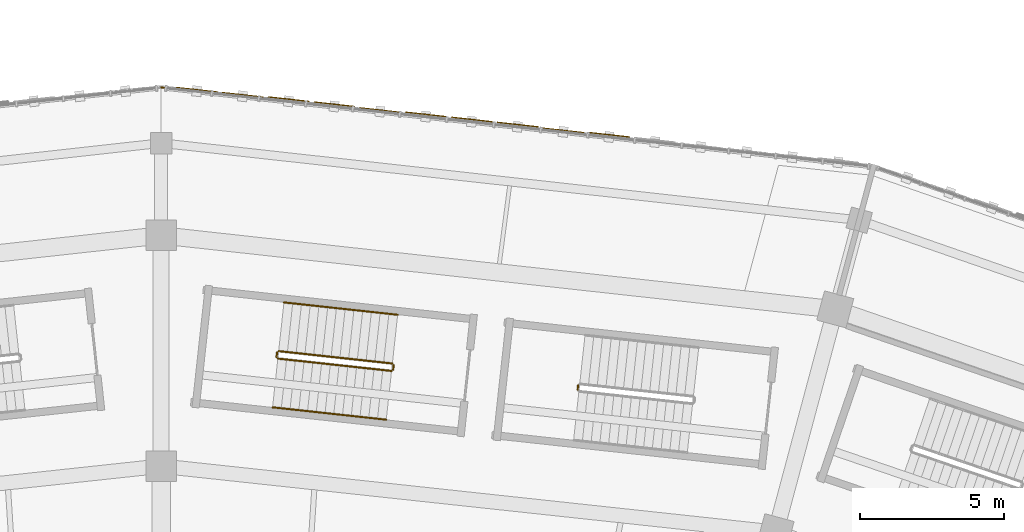
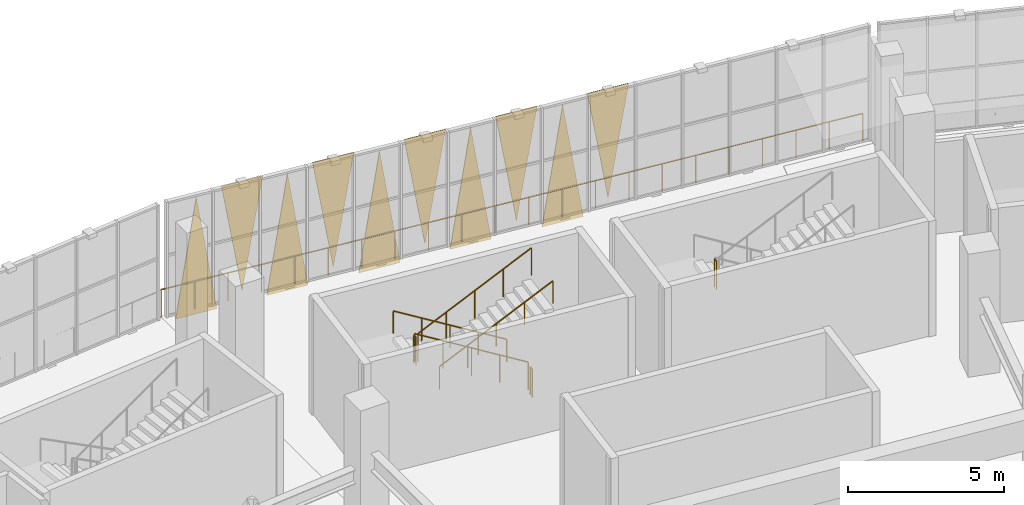
# One storey, part 168 of 179: 10 coverings, 8 railings.
"""IFC4 building model written with IfcOpenShell, lengths in metres."""

from ifc_helpers import new_model, si_unit, direction, frame, origin, origin_2d, place, context, subcontext, project, spatial, polyline, circle, outline, extrude, material, layer, layer_set, type_object, element, save


model = new_model("IFC4")

# Units and contexts
model_context = context("Model", 3, precision=1e-05, world=origin(), true_north=direction((0.0, 1.0)))
body_context = subcontext(model_context, "Body", "Model", "MODEL_VIEW")
ifc_project = project(units=[si_unit("LENGTHUNIT", "METRE"), si_unit("AREAUNIT", "SQUARE_METRE"), si_unit("VOLUMEUNIT", "CUBIC_METRE"), si_unit("PLANEANGLEUNIT", "RADIAN"), si_unit("MASSUNIT", "GRAM", prefix="KILO")], contexts=[model_context])

# Site, building, storey
site_placement = place(None, origin())
site = spatial("IfcSite", under=ifc_project, at=site_placement, CompositionType="ELEMENT")
building_placement = place(site_placement, origin())
building = spatial("IfcBuilding", under=site, at=building_placement, Name="Zevraka Park Crest Stadium", CompositionType="ELEMENT")
storey_placement = place(building_placement, frame((0.0, 0.0, 10.199951171875)))
storey = spatial("IfcBuildingStorey", under=building, at=storey_placement, Name="L02", CompositionType="ELEMENT", Elevation=10.199951171875)

# Coverings
ifc_material_1 = material(Name="Architectural golden-bronze perforated aluminium", Category="aluminium")
ifc_layer = layer(ifc_material_1, 0.034912109375)
ifc_layer_set = layer_set([ifc_layer], Name="Architectural golden-bronze perforated aluminium")
covering_type = type_object("IfcCoveringType", Name="CLD01", PredefinedType="CLADDING", material=ifc_layer_set)
covering_1_placement = place(storey_placement, frame((126.820068359375, 170.85498046875, 4.47998046875), z_axis=(-0.109872351213, -0.993945705799, 1.9036296e-05), x_axis=(0.993945705979, -0.109872351233, 0.0)))
element("IfcCovering", 1, at=covering_1_placement, inside=storey, type_object=covering_type, Name="Triangular Golden-Bronze Perforated Cladding L02-05-6", PredefinedType="CLADDING", context=body_context, shape_type="SweptSolid", body=[
    extrude(outline(polyline([(0.0, 0.0), (1.4376590889512042, 0.0), (0.719206950416663, -4.260009766396873), (0.0, 0.0)])), origin(), (0.0, 0.0, -1.0), 0.034912109375),
])
covering_2_placement = place(storey_placement, frame((126.660888671875, 170.873046875, -0.239990234375), z_axis=(0.110543347705, 0.993871296647, 0.000118231067), x_axis=(-0.993871303594, 0.110543348478, 0.0)))
element("IfcCovering", 2, at=covering_2_placement, inside=storey, type_object=covering_type, Name="Triangular Golden-Bronze Perforated Cladding L02-05-7", PredefinedType="CLADDING", context=body_context, shape_type="SweptSolid", body=[
    extrude(outline(polyline([(0.0, 0.0), (1.4377667138168417, 3.3881317890172014e-21), (0.7182092756998811, 4.5600586256215845), (0.0, 0.0)])), origin(), (0.0, 0.0, -1.0), 0.034912109375),
])
covering_3_placement = place(storey_placement, frame((123.64404296875, 171.2080078125, 4.47998046875), z_axis=(-0.110543347094, -0.993871291151, 0.000158234661), x_axis=(0.993871303594, -0.110543348478, 0.0)))
element("IfcCovering", 3, at=covering_3_placement, inside=storey, type_object=covering_type, Name="Triangular Golden-Bronze Perforated Cladding L02-05-8", PredefinedType="CLADDING", context=body_context, shape_type="SweptSolid", body=[
    extrude(outline(polyline([(0.0, 0.0), (1.4377667138168417, 0.0), (0.7183442163108157, -4.260009818956506), (0.0, 0.0)])), origin(), (0.0, 0.0, -1.0), 0.034912109375),
])
covering_4_placement = place(storey_placement, frame((123.485107421875, 171.22509765625, -0.239990234375), z_axis=(-0.110524695528, -0.993873375766, 6.7981619e-05), x_axis=(-0.993873378063, 0.110524695784, 0.0)))
element("IfcCovering", 4, at=covering_4_placement, inside=storey, type_object=covering_type, Name="Triangular Golden-Bronze Perforated Cladding L02-05-9", PredefinedType="CLADDING", context=body_context, shape_type="SweptSolid", body=[
    extrude(outline(polyline([(0.0, 0.0), (1.4380093584313232, 0.0), (0.7195304443035038, -4.560058604287158), (0.0, 0.0)])), origin(), (0.0, 0.0, -1.0), 0.034912109375),
])
covering_5_placement = place(storey_placement, frame((120.468017578125, 171.56005859375, 4.47998046875), z_axis=(-0.109872351126, -0.993945705007, 4.4223378e-05), x_axis=(0.993945705979, -0.109872351233, 0.0)))
element("IfcCovering", 5, at=covering_5_placement, inside=storey, type_object=covering_type, Name="Triangular Golden-Bronze Perforated Cladding L02-05-10", PredefinedType="CLADDING", context=body_context, shape_type="SweptSolid", body=[
    extrude(outline(polyline([(0.0, 0.0), (1.4376590889512042, -8.470329472543003e-22), (0.7182363003131678, -4.260009769790666), (0.0, 0.0)])), origin(), (0.0, 0.0, -1.0), 0.034912109375),
])
covering_6_placement = place(storey_placement, frame((120.30908203125, 171.577880859375, -0.239990234375), z_axis=(0.110617734721, 0.993863021467, 0.000106420711), x_axis=(-0.993863027095, 0.110617735348, 0.0)))
element("IfcCovering", 6, at=covering_6_placement, inside=storey, type_object=covering_type, Name="Triangular Golden-Bronze Perforated Cladding L02-05-11", PredefinedType="CLADDING", context=body_context, shape_type="SweptSolid", body=[
    extrude(outline(polyline([(0.0, 0.0), (1.4390069277757649, 0.0), (0.7194494513217948, 4.56005861957217), (0.0, 0.0)])), origin(), (0.0, 0.0, -1.0), 0.034912109375),
])
covering_7_placement = place(storey_placement, frame((117.291015625, 171.9130859375, 4.47998046875), z_axis=(-0.110711073677, -0.993852629191, 9.8053045e-05), x_axis=(0.993852633969, -0.110711074209, 0.0)))
element("IfcCovering", 7, at=covering_7_placement, inside=storey, type_object=covering_type, Name="Triangular Golden-Bronze Perforated Cladding L02-05-12", PredefinedType="CLADDING", context=body_context, shape_type="SweptSolid", body=[
    extrude(outline(polyline([(0.0, 0.0), (1.4377937224135535, 3.3881317890172014e-21), (0.7195575188565184, -4.26000978610372), (0.0, 0.0)])), origin(), (0.0, 0.0, -1.0), 0.034912109375),
])
covering_8_placement = place(storey_placement, frame((117.132080078125, 171.929931640625, -0.239990234375), z_axis=(-0.110692393142, -0.993854707748, 0.000118272524), x_axis=(-0.993854714699, 0.110692393916, 0.0)))
element("IfcCovering", 8, at=covering_8_placement, inside=storey, type_object=covering_type, Name="Triangular Golden-Bronze Perforated Cladding L02-05-13", PredefinedType="CLADDING", context=body_context, shape_type="SweptSolid", body=[
    extrude(outline(polyline([(0.0, 0.0), (1.4380363624707853, 3.3881317890172014e-21), (0.7185869496334478, -4.560058625643939), (0.0, 0.0)])), origin(), (0.0, 0.0, -1.0), 0.034912109375),
])
covering_9_placement = place(storey_placement, frame((114.114990234375, 172.264892578125, 4.47998046875), z_axis=(0.109872351126, 0.993945705007, 4.4223378e-05), x_axis=(0.993945705979, -0.109872351233, 0.0)))
element("IfcCovering", 9, at=covering_9_placement, inside=storey, type_object=covering_type, Name="Triangular Golden-Bronze Perforated Cladding L02-05-14", PredefinedType="CLADDING", context=body_context, shape_type="SweptSolid", body=[
    extrude(outline(polyline([(0.0, 0.0), (1.4376590889512042, -8.470329472543003e-22), (0.7194227886380365, 4.260009769790666), (0.0, 0.0)])), origin(), (0.0, 0.0, -1.0), 0.034912109375),
])
covering_10_placement = place(storey_placement, frame((113.9560546875, 172.282958984375, -0.239990234375), z_axis=(0.110543347983, 0.993871299146, 9.4612128e-05), x_axis=(-0.993871303594, 0.110543348478, 0.0)))
element("IfcCovering", 10, at=covering_10_placement, inside=storey, type_object=covering_type, Name="Triangular Golden-Bronze Perforated Cladding L02-05-15", PredefinedType="CLADDING", context=body_context, shape_type="SweptSolid", body=[
    extrude(outline(polyline([(0.0, 0.0), (1.4377667138168417, 0.0), (0.719449485628213, 4.560058614159578), (0.0, 0.0)])), origin(), (0.0, 0.0, -1.0), 0.034912109375),
])

# Railings
ifc_material_2 = material(Name="Galvanised and bronze-finished steel balustrade", Category="steel")
railing_type_1 = type_object("IfcRailingType", Name="GR01", PredefinedType="GUARDRAIL", material=ifc_material_2)
railing_1_placement = place(storey_placement, frame((112.0, 172.429931640625, 0.0)))
element("IfcRailing", 11, at=railing_1_placement, inside=storey, type_object=railing_type_1, Name="Deck Edge Protection Guardrail GR01 L02-8", PredefinedType="GUARDRAIL", context=body_context, shape_type="SweptSolid", body=[
    extrude(circle(Radius=0.02392578125, at=origin_2d()), frame((0.0, 0.0, 1.076171875), z_axis=(0.993897350931, -0.110308910851, 0.0), x_axis=(0.110308910851, 0.993897350931, 0.0)), (0.0, 0.0, 1.0), 24.476318359375),
    extrude(circle(Radius=0.02099609375, at=origin_2d()), origin(), (0.0, 0.0, 1.0), 1.052001953125),
    extrude(circle(Radius=0.02099609375, at=origin_2d()), frame((1.158447265625, -0.128662109375, 0.0)), (0.0, 0.0, 1.0), 1.052001953125),
    extrude(circle(Radius=0.02099609375, at=origin_2d()), frame((2.31689453125, -0.257080078125, 0.0)), (0.0, 0.0, 1.0), 1.052001953125),
    extrude(circle(Radius=0.02099609375, at=origin_2d()), frame((3.475341796875, -0.3857421875, 0.0)), (0.0, 0.0, 1.0), 1.052001953125),
    extrude(circle(Radius=0.02099609375, at=origin_2d()), frame((4.6337890625, -0.51416015625, 0.0)), (0.0, 0.0, 1.0), 1.052001953125),
    extrude(circle(Radius=0.02099609375, at=origin_2d()), frame((5.792236328125, -0.642822265625, 0.0)), (0.0, 0.0, 1.0), 1.052001953125),
    extrude(circle(Radius=0.02099609375, at=origin_2d()), frame((6.950439453125, -0.771484375, 0.0)), (0.0, 0.0, 1.0), 1.052001953125),
    extrude(circle(Radius=0.02099609375, at=origin_2d()), frame((8.10888671875, -0.89990234375, 0.0)), (0.0, 0.0, 1.0), 1.052001953125),
    extrude(circle(Radius=0.02099609375, at=origin_2d()), frame((9.267333984375, -1.028564453125, 0.0)), (0.0, 0.0, 1.0), 1.052001953125),
    extrude(circle(Radius=0.02099609375, at=origin_2d()), frame((10.42578125, -1.1572265625, 0.0)), (0.0, 0.0, 1.0), 1.052001953125),
    extrude(circle(Radius=0.02099609375, at=origin_2d()), frame((11.584228515625, -1.28564453125, 0.0)), (0.0, 0.0, 1.0), 1.052001953125),
    extrude(circle(Radius=0.02099609375, at=origin_2d()), frame((12.74267578125, -1.414306640625, 0.0)), (0.0, 0.0, 1.0), 1.052001953125),
    extrude(circle(Radius=0.02099609375, at=origin_2d()), frame((13.901123046875, -1.542724609375, 0.0)), (0.0, 0.0, 1.0), 1.052001953125),
    extrude(circle(Radius=0.02099609375, at=origin_2d()), frame((15.0595703125, -1.67138671875, 0.0)), (0.0, 0.0, 1.0), 1.052001953125),
    extrude(circle(Radius=0.02099609375, at=origin_2d()), frame((16.218017578125, -1.800048828125, 0.0)), (0.0, 0.0, 1.0), 1.052001953125),
    extrude(circle(Radius=0.02099609375, at=origin_2d()), frame((17.37646484375, -1.928466796875, 0.0)), (0.0, 0.0, 1.0), 1.052001953125),
    extrude(circle(Radius=0.02099609375, at=origin_2d()), frame((18.53466796875, -2.05712890625, 0.0)), (0.0, 0.0, 1.0), 1.052001953125),
    extrude(circle(Radius=0.02099609375, at=origin_2d()), frame((19.693115234375, -2.185791015625, 0.0)), (0.0, 0.0, 1.0), 1.052001953125),
    extrude(circle(Radius=0.02099609375, at=origin_2d()), frame((20.8515625, -2.314208984375, 0.0)), (0.0, 0.0, 1.0), 1.052001953125),
    extrude(circle(Radius=0.02099609375, at=origin_2d()), frame((22.010009765625, -2.44287109375, 0.0)), (0.0, 0.0, 1.0), 1.052001953125),
    extrude(circle(Radius=0.02099609375, at=origin_2d()), frame((23.16845703125, -2.5712890625, 0.0)), (0.0, 0.0, 1.0), 1.052001953125),
    extrude(circle(Radius=0.02099609375, at=origin_2d()), frame((24.326904296875, -2.699951171875, 0.0)), (0.0, 0.0, 1.0), 1.052001953125),
])
ifc_material_3 = material(Name="Powder-coated tubular steel stairwell guard", Category="steel")
railing_type_2 = type_object("IfcRailingType", Name="GR03", PredefinedType="GUARDRAIL", material=ifc_material_3)
railing_2_placement = place(storey_placement, frame((126.45654296875, 162.106689453125, 2.400146484375)))
element("IfcRailing", 12, at=railing_2_placement, inside=storey, type_object=railing_type_2, Name="L02 ST06 stair guard 2", PredefinedType="GUARDRAIL", context=body_context, shape_type="SweptSolid", body=[
    extrude(circle(Radius=0.02392578125, at=origin_2d()), frame((0.0, 0.0, 1.076171875), z_axis=(-0.108255734054, -0.994123078921, 0.0), x_axis=(0.994123078921, -0.108255734054, 0.0)), (0.0, 0.0, 1.0), 0.16015625),
    extrude(circle(Radius=0.02099609375, at=origin_2d()), origin(), (0.0, 0.0, 1.0), 1.052001953125),
    extrude(circle(Radius=0.02099609375, at=origin_2d()), frame((-0.017333984375, -0.1591796875, 0.0)), (0.0, 0.0, 1.0), 1.052001953125),
])
railing_3_placement = place(storey_placement, frame((120.015380859375, 162.85791015625, 0.17138671875)))
element("IfcRailing", 13, at=railing_3_placement, inside=storey, type_object=railing_type_2, Name="L02 ST26 stair guard 1", PredefinedType="GUARDRAIL", context=body_context, shape_type="SweptSolid", body=[
    extrude(circle(Radius=0.02392578125, at=origin_2d()), frame((0.0, 0.0, 1.076171875), z_axis=(-0.866614101159, 0.094304532128, 0.489986382354), x_axis=(-0.108180884773, -0.994131226836, 0.0)), (0.0, 0.0, 1.0), 4.548583984375),
    extrude(circle(Radius=0.02099609375, at=origin_2d()), origin(), (0.0, 0.0, 1.0), 1.052001953125),
    extrude(circle(Radius=0.02099609375, at=origin_2d()), frame((-0.9853515625, 0.107177734375, 0.55712890625)), (0.0, 0.0, 1.0), 1.052001953125),
    extrude(circle(Radius=0.02099609375, at=origin_2d()), frame((-1.970947265625, 0.21435546875, 1.1142578125)), (0.0, 0.0, 1.0), 1.052001953125),
    extrude(circle(Radius=0.02099609375, at=origin_2d()), frame((-2.95654296875, 0.32177734375, 1.671630859375)), (0.0, 0.0, 1.0), 1.052001953125),
    extrude(circle(Radius=0.02099609375, at=origin_2d()), frame((-3.94189453125, 0.428955078125, 2.228759765625)), (0.0, 0.0, 1.0), 1.052001953125),
])
railing_4_placement = place(storey_placement, frame((116.0185546875, 163.24267578125, 2.400146484375)))
element("IfcRailing", 14, at=railing_4_placement, inside=storey, type_object=railing_type_2, Name="L02 ST26 stair guard 2", PredefinedType="GUARDRAIL", context=body_context, shape_type="SweptSolid", body=[
    extrude(circle(Radius=0.02392578125, at=origin_2d()), frame((0.0, 0.0, 1.076171875), z_axis=(-0.108255734054, -0.994123078921, 0.0), x_axis=(0.994123078921, -0.108255734054, 0.0)), (0.0, 0.0, 1.0), 0.16015625),
    extrude(circle(Radius=0.02099609375, at=origin_2d()), origin(), (0.0, 0.0, 1.0), 1.052001953125),
    extrude(circle(Radius=0.02099609375, at=origin_2d()), frame((-0.017333984375, -0.1591796875, 0.0)), (0.0, 0.0, 1.0), 1.052001953125),
])
railing_5_placement = place(storey_placement, frame((116.04541015625, 163.0283203125, 2.571533203125)))
element("IfcRailing", 15, at=railing_5_placement, inside=storey, type_object=railing_type_2, Name="L02 ST26 stair guard 3", PredefinedType="GUARDRAIL", context=body_context, shape_type="SweptSolid", body=[
    extrude(circle(Radius=0.02392578125, at=origin_2d()), frame((0.0, 0.0, 1.076171875), z_axis=(0.866623529368, -0.094311399263, 0.489968385015), x_axis=(0.10818750693, 0.994130506193, 0.0)), (0.0, 0.0, 1.0), 4.54833984375),
    extrude(circle(Radius=0.02099609375, at=origin_2d()), origin(), (0.0, 0.0, 1.0), 1.052001953125),
    extrude(circle(Radius=0.02099609375, at=origin_2d()), frame((0.9853515625, -0.107177734375, 0.55712890625)), (0.0, 0.0, 1.0), 1.052001953125),
    extrude(circle(Radius=0.02099609375, at=origin_2d()), frame((1.970703125, -0.21435546875, 1.1142578125)), (0.0, 0.0, 1.0), 1.052001953125),
    extrude(circle(Radius=0.02099609375, at=origin_2d()), frame((2.956298828125, -0.32177734375, 1.67138671875)), (0.0, 0.0, 1.0), 1.052001953125),
    extrude(circle(Radius=0.02099609375, at=origin_2d()), frame((3.941650390625, -0.428955078125, 2.228515625)), (0.0, 0.0, 1.0), 1.052001953125),
])
railing_6_placement = place(storey_placement, frame((120.0595703125, 162.802734375, 0.0)))
element("IfcRailing", 16, at=railing_6_placement, inside=storey, type_object=railing_type_2, Name="L02 ST26 stair guard 4", PredefinedType="GUARDRAIL", context=body_context, shape_type="SweptSolid", body=[
    extrude(circle(Radius=0.02392578125, at=origin_2d()), frame((0.0, 0.0, 1.076171875), z_axis=(-0.108255734054, -0.994123078921, 0.0), x_axis=(0.994123078921, -0.108255734054, 0.0)), (0.0, 0.0, 1.0), 0.16015625),
    extrude(circle(Radius=0.02099609375, at=origin_2d()), origin(), (0.0, 0.0, 1.0), 1.052001953125),
    extrude(circle(Radius=0.02099609375, at=origin_2d()), frame((-0.017333984375, -0.1591796875, 0.0)), (0.0, 0.0, 1.0), 1.052001953125),
])
ifc_material_4 = material(Name="Brushed stainless steel continuous handrail", Category="steel")
railing_type_3 = type_object("IfcRailingType", Name="HR01", PredefinedType="HANDRAIL", material=ifc_material_4)
railing_7_placement = place(storey_placement, frame((120.19921875, 164.5478515625, 0.17138671875)))
element("IfcRailing", 17, at=railing_7_placement, inside=storey, type_object=railing_type_3, Name="L02 ST26 stair handrail 1", PredefinedType="HANDRAIL", context=body_context, shape_type="SweptSolid", body=[
    extrude(circle(Radius=0.02392578125, at=origin_2d()), frame((0.0, 0.0, 0.8759765625), z_axis=(-0.866600736571, 0.094308918808, 0.490009174615), x_axis=(-0.10818750693, -0.994130506193, 0.0)), (0.0, 0.0, 1.0), 4.54833984375),
    extrude(circle(Radius=0.02099609375, at=origin_2d()), origin(), (0.0, 0.0, 1.0), 0.851806640625),
    extrude(circle(Radius=0.02099609375, at=origin_2d()), frame((-0.9853515625, 0.107177734375, 0.55712890625)), (0.0, 0.0, 1.0), 0.851806640625),
    extrude(circle(Radius=0.02099609375, at=origin_2d()), frame((-1.970703125, 0.21435546875, 1.1142578125)), (0.0, 0.0, 1.0), 0.851806640625),
    extrude(circle(Radius=0.02099609375, at=origin_2d()), frame((-2.956298828125, 0.32177734375, 1.671630859375)), (0.0, 0.0, 1.0), 0.851806640625),
    extrude(circle(Radius=0.02099609375, at=origin_2d()), frame((-3.941650390625, 0.428955078125, 2.228759765625)), (0.0, 0.0, 1.0), 0.851806640625),
])
railing_8_placement = place(storey_placement, frame((115.861572265625, 161.33837890625, 2.571533203125)))
element("IfcRailing", 18, at=railing_8_placement, inside=storey, type_object=railing_type_3, Name="L02 ST26 stair handrail 2", PredefinedType="HANDRAIL", context=body_context, shape_type="SweptSolid", body=[
    extrude(circle(Radius=0.02392578125, at=origin_2d()), frame((0.0, 0.0, 0.8759765625), z_axis=(0.866623529368, -0.094311399263, 0.489968385015), x_axis=(0.10818750693, 0.994130506193, 0.0)), (0.0, 0.0, 1.0), 4.54833984375),
    extrude(circle(Radius=0.02099609375, at=origin_2d()), origin(), (0.0, 0.0, 1.0), 0.851806640625),
    extrude(circle(Radius=0.02099609375, at=origin_2d()), frame((0.9853515625, -0.107177734375, 0.55712890625)), (0.0, 0.0, 1.0), 0.851806640625),
    extrude(circle(Radius=0.02099609375, at=origin_2d()), frame((1.970703125, -0.21435546875, 1.1142578125)), (0.0, 0.0, 1.0), 0.851806640625),
    extrude(circle(Radius=0.02099609375, at=origin_2d()), frame((2.956298828125, -0.32177734375, 1.67138671875)), (0.0, 0.0, 1.0), 0.851806640625),
    extrude(circle(Radius=0.02099609375, at=origin_2d()), frame((3.941650390625, -0.428955078125, 2.228515625)), (0.0, 0.0, 1.0), 0.851806640625),
])

save(model, "model.ifc")
